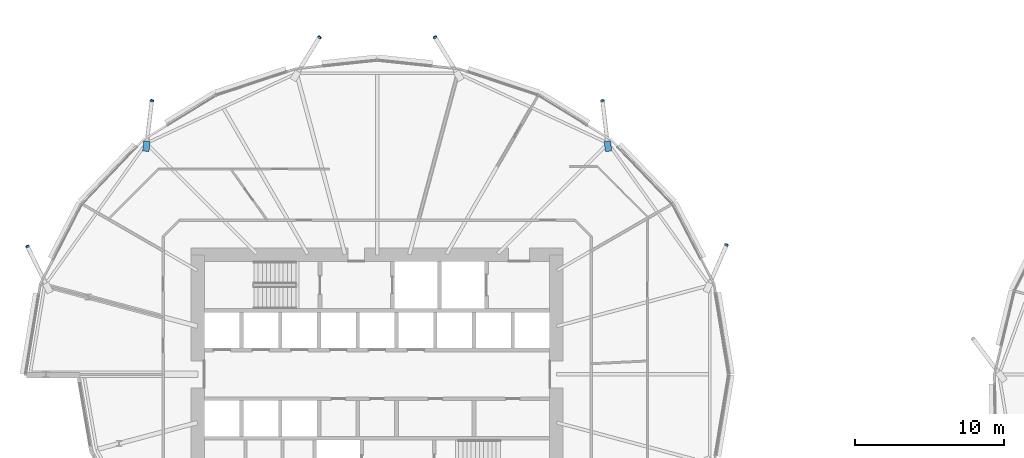
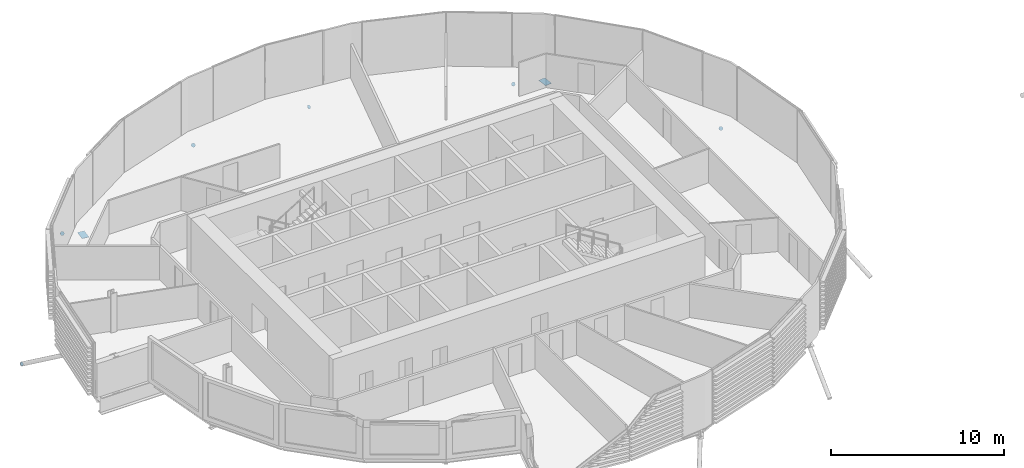
# One storey, part 29 of 38: 8 discrete accessories.
"""IFC4 building model written with IfcOpenShell, lengths in metres."""

import ifcopenshell
import ifcopenshell.guid

model = None  # the IFC model being written
_history = None  # IfcOwnerHistory: only IFC2X3 demands one
_inside = {}  # id of a spatial element -> (the spatial element, [elements in it])
_under = {}  # id of a project, library or spatial element -> (it, [spatial elements below it])
_declared = {}  # id of a project -> (the project, [libraries it declares])
_typed = {}  # id of a type object -> (the type object, [elements of that type])
_made_of = {}  # id of a material, layer set ... -> (it, [elements and type objects made of it])


def new_model(schema):
    """Start an empty IFC model of exactly this schema.

    Asked for "IFC4X3", IfcOpenShell would pick the latest addendum, in which some entities
    have other attributes; the version numbers below select the first issue.
    IFC2X3 requires an IfcOwnerHistory on every rooted entity: one is made here for all.
    """
    global model, _history
    if schema == "IFC4X3":
        model = ifcopenshell.file(schema_version=(4, 3, 0, 0))
    else:
        model = ifcopenshell.file(schema=schema)
    _inside.clear()
    _under.clear()
    _declared.clear()
    _typed.clear()
    _made_of.clear()
    _history = None
    if model.schema == "IFC2X3":
        org = make("IfcOrganization", Name="unknown")
        user = make(
            "IfcPersonAndOrganization",
            ThePerson=make("IfcPerson", FamilyName="unknown"),
            TheOrganization=org,
        )
        app = make(
            "IfcApplication",
            ApplicationDeveloper=org,
            Version="unknown",
            ApplicationFullName="unknown",
            ApplicationIdentifier="unknown",
        )
        _history = make(
            "IfcOwnerHistory",
            OwningUser=user,
            OwningApplication=app,
            ChangeAction="ADDED",
            CreationDate=0,
        )
    return model


def make(cls, **values):
    """One entity of the class cls with the attributes given. An attribute that is None is left unset."""
    return model.create_entity(
        cls, **{name: value for name, value in values.items() if value is not None}
    )


def rooted(cls, **values):
    """An entity with a GlobalId (a new one), such as an element, a storey or a relation."""
    return make(cls, GlobalId=ifcopenshell.guid.new(), OwnerHistory=_history, **values)


def si_unit(unit_type, name, prefix=None):
    """IfcSIUnit, for example si_unit("LENGTHUNIT", "METRE", prefix="MILLI")."""
    return make("IfcSIUnit", UnitType=unit_type, Prefix=prefix, Name=name)


def assignment(units):
    """IfcUnitAssignment: the units of a project."""
    return None if units is None else make("IfcUnitAssignment", Units=units)


def point(xyz):
    """IfcCartesianPoint."""
    return None if xyz is None else make("IfcCartesianPoint", Coordinates=xyz)


def direction(xyz):
    """IfcDirection."""
    return None if xyz is None else make("IfcDirection", DirectionRatios=xyz)


def frame(location, z_axis=None, x_axis=None):
    """IfcAxis2Placement3D, a coordinate frame: its origin and axes. An axis left out is left unset."""
    return make(
        "IfcAxis2Placement3D",
        Location=point(location),
        Axis=direction(z_axis),
        RefDirection=direction(x_axis),
    )


def frame_2d(location, x_axis=None):
    """IfcAxis2Placement2D, a coordinate frame in the plane: its origin and x axis."""
    return make(
        "IfcAxis2Placement2D", Location=point(location), RefDirection=direction(x_axis)
    )


def origin():
    """The frame at (0, 0, 0) with its axes left unset."""
    return frame((0.0, 0.0, 0.0))


def origin_2d():
    """The frame at (0, 0) in the plane with its x axis left unset."""
    return frame_2d((0.0, 0.0))


def place(relative_to, where):
    """IfcLocalPlacement: puts the frame where relative to a parent placement (None: the world)."""
    return make(
        "IfcLocalPlacement", PlacementRelTo=relative_to, RelativePlacement=where
    )


def context(
    kind, dimensions, precision=None, world=None, true_north=None, identifier=None
):
    """IfcGeometricRepresentationContext, for example the 3D "Model" context."""
    return make(
        "IfcGeometricRepresentationContext",
        ContextIdentifier=identifier,
        ContextType=kind,
        CoordinateSpaceDimension=dimensions,
        Precision=precision,
        WorldCoordinateSystem=world,
        TrueNorth=true_north,
    )


def subcontext(parent, identifier, kind, view, scale=None):
    """IfcGeometricRepresentationSubContext, for example "Body" below "Model"."""
    return make(
        "IfcGeometricRepresentationSubContext",
        ContextIdentifier=identifier,
        ContextType=kind,
        ParentContext=parent,
        TargetScale=scale,
        TargetView=view,
    )


def project(units=None, contexts=None):
    """IfcProject with its units and contexts."""
    return rooted(
        "IfcProject",
        Name="project",
        RepresentationContexts=contexts,
        UnitsInContext=assignment(units),
    )


def spatial(cls, under=None, at=None, **own):
    """A site, building, storey or space (cls), placed at a placement, below another one or the project."""
    s = rooted(cls, ObjectPlacement=at, **own)
    if under is not None:
        _under.setdefault(under.id(), (under, []))[1].append(s)
    return s


def polyline(points):
    """IfcPolyline through the points."""
    return make("IfcPolyline", Points=[point(p) for p in points])


def profile(cls, at=None, kind="AREA", **sizes):
    """A parametric profile (cls). Its sizes go by their IFC names, for example OverallWidth=200.0."""
    return make(cls, ProfileType=kind, Position=at, **sizes)


def rectangle(**sizes):
    """IfcRectangleProfileDef."""
    return profile("IfcRectangleProfileDef", **sizes)


def circle(**sizes):
    """IfcCircleProfileDef."""
    return profile("IfcCircleProfileDef", **sizes)


def outline(outer, holes=None, kind="AREA"):
    """IfcArbitraryClosedProfileDef: a profile drawn as a closed curve; with holes, ...WithVoids."""
    if holes is None:
        return make("IfcArbitraryClosedProfileDef", ProfileType=kind, OuterCurve=outer)
    return make(
        "IfcArbitraryProfileDefWithVoids",
        ProfileType=kind,
        OuterCurve=outer,
        InnerCurves=holes,
    )


def extrude(swept, where, along, depth):
    """IfcExtrudedAreaSolid: the profile swept, set in the frame where, extruded along a direction by depth."""
    return make(
        "IfcExtrudedAreaSolid",
        SweptArea=swept,
        Position=where,
        ExtrudedDirection=direction(along),
        Depth=depth,
    )


def shape(context_of_items, identifier, shape_type, items):
    """IfcShapeRepresentation: the items that make up one representation, for example the "Body"."""
    return make(
        "IfcShapeRepresentation",
        ContextOfItems=context_of_items,
        RepresentationIdentifier=identifier,
        RepresentationType=shape_type,
        Items=items,
    )


def material(Name=None, Category=None):
    """IfcMaterial."""
    return make("IfcMaterial", Name=Name, Category=Category)


def material_profile(
    of_material, cross_section, Name=None, Category=None, Priority=None
):
    """IfcMaterialProfile: a cross section and its material."""
    return make(
        "IfcMaterialProfile",
        Name=Name,
        Material=of_material,
        Profile=cross_section,
        Priority=Priority,
        Category=Category,
    )


def profile_set(profiles, Name=None, composite=None):
    """IfcMaterialProfileSet."""
    return make(
        "IfcMaterialProfileSet",
        Name=Name,
        MaterialProfiles=profiles,
        CompositeProfile=composite,
    )


def made_of(thing, what):
    """Note that an element or type object is made of a material, layer set ...; save() writes the relation."""
    if what is not None:
        _made_of.setdefault(what.id(), (what, []))[1].append(thing)
    return thing


def type_object(cls, material=None, **own):
    """A type object (cls), such as IfcWallType, which elements share."""
    return made_of(rooted(cls, **own), material)


def element(
    cls,
    number,
    at=None,
    inside=None,
    cuts=None,
    type_object=None,
    material=None,
    context=None,
    identifier="Body",
    shape_type=None,
    held_by="IfcProductDefinitionShape",
    body=None,
    shapes=None,
    **own,
):
    """One element of the class cls, such as IfcWall. Its Tag is "e" and its number.

    at: its placement. inside: the storey or other place that contains it. cuts: it is an
    opening in that element (IfcRelVoidsElement). A single representation is given by context,
    identifier, shape_type and body (its items); several are given by shapes. held_by: the class
    of the entity that holds the representations. save() writes the other relations.
    """
    e = rooted(cls, Tag="e%d" % number, ObjectPlacement=at, **own)
    if body is not None:
        shapes = [shape(context, identifier, shape_type, body)]
    if shapes is not None:
        e.Representation = make(held_by, Representations=shapes)
    if inside is not None:
        _inside.setdefault(inside.id(), (inside, []))[1].append(e)
    if cuts is not None:
        rooted(
            "IfcRelVoidsElement", RelatingBuildingElement=cuts, RelatedOpeningElement=e
        )
    if type_object is not None:
        _typed.setdefault(type_object.id(), (type_object, []))[1].append(e)
    return made_of(e, material)


def aggregate(whole, parts):
    """IfcRelAggregates: a whole, such as a stair, and the parts it consists of."""
    return rooted("IfcRelAggregates", RelatingObject=whole, RelatedObjects=parts)


def save(model, path):
    """Write the relations noted so far, then the file.

    IfcRelAggregates (storeys below a building ...), IfcRelContainedInSpatialStructure (elements
    in a storey), IfcRelDefinesByType, IfcRelAssociatesMaterial and IfcRelDeclares: one each for
    every whole, place, type object, material and project.
    """
    for whole, parts in _under.values():
        aggregate(whole, parts)
    for where, things in _inside.values():
        rooted(
            "IfcRelContainedInSpatialStructure",
            RelatedElements=things,
            RelatingStructure=where,
        )
    for kind, things in _typed.values():
        rooted("IfcRelDefinesByType", RelatedObjects=things, RelatingType=kind)
    for what, things in _made_of.values():
        rooted("IfcRelAssociatesMaterial", RelatedObjects=things, RelatingMaterial=what)
    for by, libraries in _declared.values():
        rooted("IfcRelDeclares", RelatingContext=by, RelatedDefinitions=libraries)
    model.write(path)


model = new_model("IFC4")

# Units and contexts
model_context = context("Model", 3, precision=1e-05, world=origin(), true_north=direction((0.0, 1.0)))
body_context = subcontext(model_context, "Body", "Model", "MODEL_VIEW")
ifc_project = project(units=[si_unit("LENGTHUNIT", "METRE"), si_unit("AREAUNIT", "SQUARE_METRE"), si_unit("VOLUMEUNIT", "CUBIC_METRE"), si_unit("PLANEANGLEUNIT", "RADIAN"), si_unit("MASSUNIT", "GRAM", prefix="KILO")], contexts=[model_context])

# Site, building, storey
site_placement = place(None, origin())
site = spatial("IfcSite", under=ifc_project, at=site_placement, CompositionType="ELEMENT")
building_placement = place(site_placement, origin())
building = spatial("IfcBuilding", under=site, at=building_placement, Name="Rimbun Link Towers", CompositionType="ELEMENT")
storey_placement = place(building_placement, frame((0.0, 0.0, 71.800048828125)))
storey = spatial("IfcBuildingStorey", under=building, at=storey_placement, Name="L17", CompositionType="ELEMENT", Elevation=71.800048828125)

# Discrete accessories
ifc_material_1 = material(Name="Steel S355J2H", Category="steel")
ifc_material_profile_1 = material_profile(ifc_material_1, circle(Radius=0.1240234375, at=origin_2d()), Name="PL D248")
ifc_profile_set_1 = profile_set([ifc_material_profile_1], Name="Steel S355J2H")
discrete_accessory_type_1 = type_object("IfcDiscreteAccessoryType", Name="Link foot sealing plate D248X20", PredefinedType="BRACKET", material=ifc_profile_set_1)
discrete_accessory_1_placement = place(storey_placement, frame((-8.3603515625, 8.666015625, -2.769775390625), z_axis=(0.329292779969, 0.768349819928, -0.548821299948), x_axis=(-0.919145030018, 0.393919298579, 0.0)))
element("IfcDiscreteAccessory", 1, at=discrete_accessory_1_placement, inside=storey, type_object=discrete_accessory_type_1, Name="Link foot sealing plate T1 L17 01", PredefinedType="BRACKET", context=body_context, shape_type="SweptSolid", body=[
    extrude(circle(Radius=0.1240234375, at=origin_2d()), origin(), (0.0, 0.0, 1.0), 0.02001953125),
])
discrete_accessory_2_placement = place(storey_placement, frame((-16.66357421875, 18.319580078125, -2.58447265625), z_axis=(-0.096921648558, 0.848064424882, -0.520953860999), x_axis=(-0.993532672656, -0.113546591161, 0.0)))
element("IfcDiscreteAccessory", 2, at=discrete_accessory_2_placement, inside=storey, type_object=discrete_accessory_type_1, Name="Link foot sealing plate T1 L17 03", PredefinedType="BRACKET", context=body_context, shape_type="SweptSolid", body=[
    extrude(circle(Radius=0.1240234375, at=origin_2d()), origin(), (0.0, 0.0, 1.0), 0.020263671875),
])
for number, where, z_axis, x_axis, name in (
    (3, (-27.87890625, 22.568115234375, -2.84228515625), (-0.440303152519, 0.709377301281, -0.550378940649), (-0.849640166198, -0.527362861778, 0.0), "Link foot sealing plate T1 L17 05"),
    (4, (-35.62109375, 22.568115234375, -2.84228515625), (0.440303152519, 0.709377301281, -0.550378940649), (-0.849640166198, 0.527362861778, 0.0), "Link foot sealing plate T1 L17 07"),
):
    element("IfcDiscreteAccessory", number, at=place(storey_placement, frame(where, z_axis=z_axis, x_axis=x_axis)), inside=storey, type_object=discrete_accessory_type_1, Name=name, PredefinedType="BRACKET", context=body_context, shape_type="SweptSolid", body=[
        extrude(circle(Radius=0.1240234375, at=origin_2d()), origin(), (0.0, 0.0, 1.0), 0.02001953125),
    ])
discrete_accessory_3_placement = place(storey_placement, frame((-46.83642578125, 18.319580078125, -2.58447265625), z_axis=(0.096921648558, 0.848064424882, -0.520953860999), x_axis=(-0.993532672656, 0.113546591161, 0.0)))
element("IfcDiscreteAccessory", 5, at=discrete_accessory_3_placement, inside=storey, type_object=discrete_accessory_type_1, Name="Link foot sealing plate T1 L17 09", PredefinedType="BRACKET", context=body_context, shape_type="SweptSolid", body=[
    extrude(circle(Radius=0.1240234375, at=origin_2d()), origin(), (0.0, 0.0, 1.0), 0.020263671875),
])
discrete_accessory_4_placement = place(storey_placement, frame((-55.16845703125, 8.567138671875, -2.980712890625), z_axis=(-0.378894969968, 0.770012358322, -0.513341572215), x_axis=(-0.897257484736, -0.441507651219, 0.0)))
element("IfcDiscreteAccessory", 6, at=discrete_accessory_4_placement, inside=storey, type_object=discrete_accessory_type_1, Name="Link foot sealing plate T1 L17 11", PredefinedType="BRACKET", context=body_context, shape_type="SweptSolid", body=[
    extrude(circle(Radius=0.1240234375, at=origin_2d()), origin(), (0.0, 0.0, 1.0), 0.02001953125),
])
ifc_material_2 = material(Name="Steel S355J2H", Category="steel")
ifc_material_profile_2 = material_profile(ifc_material_2, rectangle(XDim=0.43310546875, YDim=0.43310546875, at=origin_2d()), Name="PL 433x433")
ifc_profile_set_2 = profile_set([ifc_material_profile_2], Name="Steel S355J2H")
discrete_accessory_type_2 = type_object("IfcDiscreteAccessoryType", Name="Link head end plate 433X20", PredefinedType="BRACKET", material=ifc_profile_set_2)
discrete_accessory_5_placement = place(storey_placement, frame((0.0, 0.0, -0.713134765625)))
element("IfcDiscreteAccessory", 7, at=discrete_accessory_5_placement, inside=storey, type_object=discrete_accessory_type_2, Name="Link head end plate T1 L17 03", PredefinedType="BRACKET", context=body_context, shape_type="SweptSolid", body=[
    extrude(outline(polyline([(-16.04541015625, 14.958984375), (-16.126220703125, 15.638427734375), (-16.55615234375, 15.587158203125), (-16.475341796875, 14.90771484375), (-16.04541015625, 14.958984375)])), origin(), (0.0, 0.0, 1.0), 0.02001953125),
])
discrete_accessory_6_placement = place(storey_placement, frame((0.0, 0.0, -0.713134765625)))
element("IfcDiscreteAccessory", 8, at=discrete_accessory_6_placement, inside=storey, type_object=discrete_accessory_type_2, Name="Link head end plate T1 L17 09", PredefinedType="BRACKET", context=body_context, shape_type="SweptSolid", body=[
    extrude(outline(polyline([(-47.024658203125, 14.90771484375), (-46.94384765625, 15.587158203125), (-47.373779296875, 15.638427734375), (-47.45458984375, 14.958984375), (-47.024658203125, 14.90771484375)])), origin(), (0.0, 0.0, 1.0), 0.02001953125),
])

save(model, "model.ifc")
